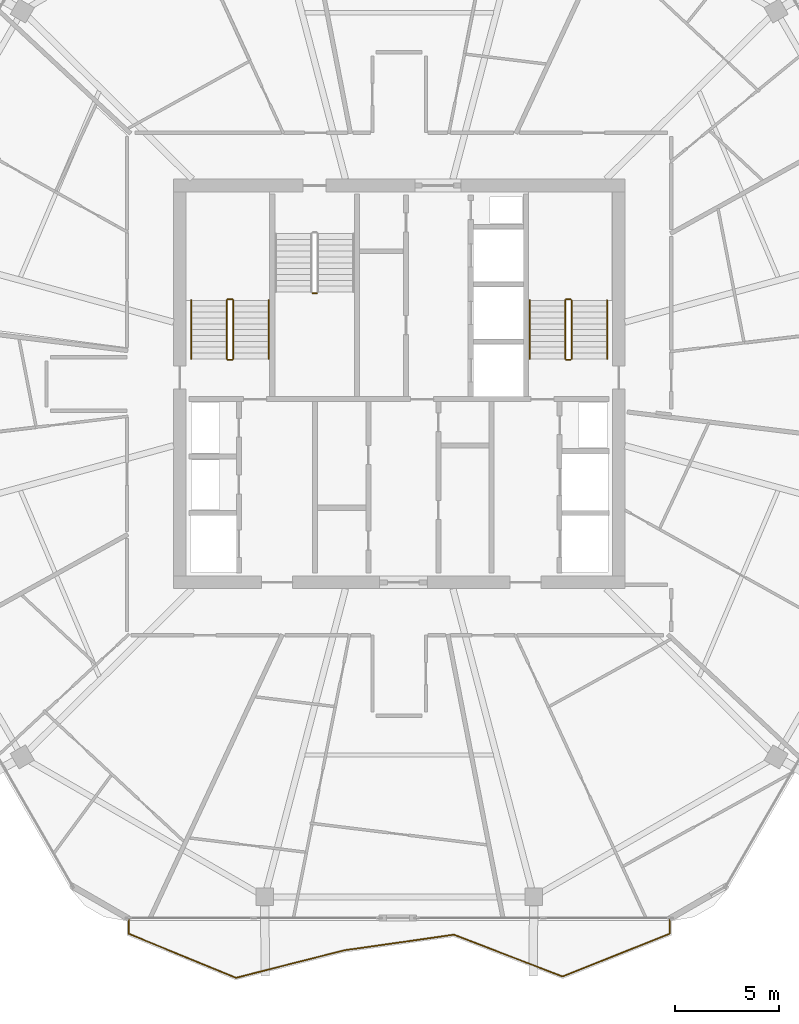
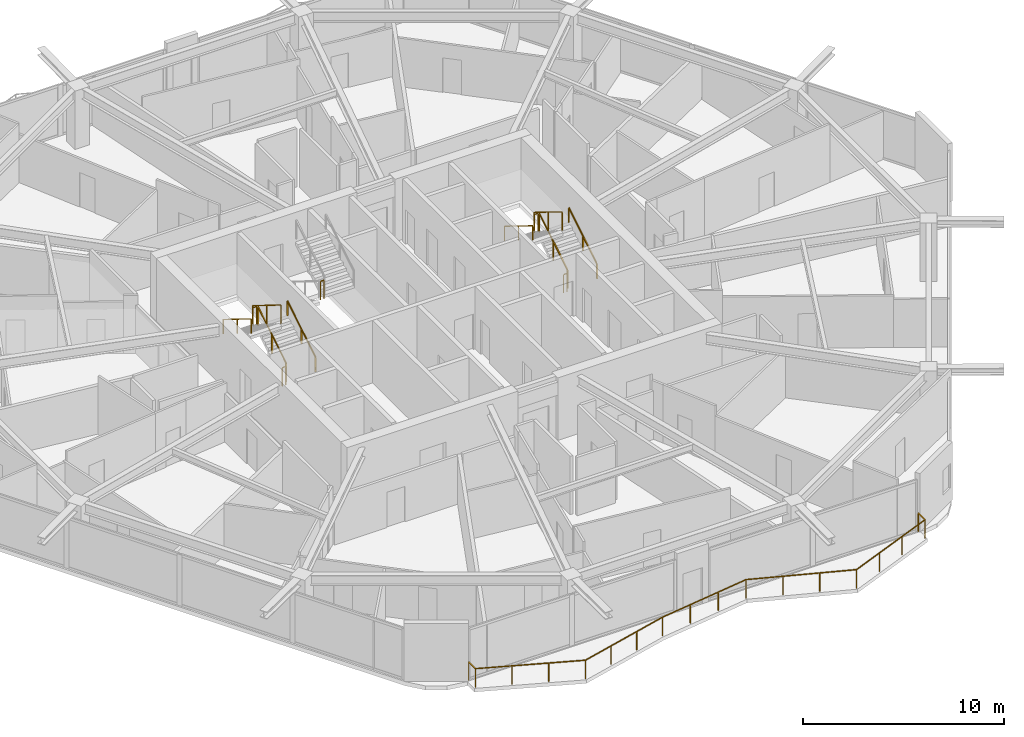
# One storey, part 25 of 27: 14 railings.
"""IFC4 building model written with IfcOpenShell, lengths in metres."""

from ifc_helpers import new_model, si_unit, direction, frame, origin, origin_2d, place, context, subcontext, project, spatial, rectangle, extrude, material, type_object, element, save


model = new_model("IFC4")

# Units and contexts
model_context = context("Model", 3, precision=1e-05, world=origin(), true_north=direction((0.0, 1.0)))
body_context = subcontext(model_context, "Body", "Model", "MODEL_VIEW")
ifc_project = project(units=[si_unit("LENGTHUNIT", "METRE"), si_unit("AREAUNIT", "SQUARE_METRE"), si_unit("VOLUMEUNIT", "CUBIC_METRE"), si_unit("PLANEANGLEUNIT", "RADIAN"), si_unit("MASSUNIT", "GRAM", prefix="KILO")], contexts=[model_context])

# Site, building, storey
site_placement = place(None, origin())
site = spatial("IfcSite", under=ifc_project, at=site_placement, CompositionType="ELEMENT")
building_placement = place(site_placement, origin())
building = spatial("IfcBuilding", under=site, at=building_placement, Name="Zuhravey Tower", CompositionType="ELEMENT")
storey_placement = place(building_placement, frame((0.0, 0.0, 265.39990234375)))
storey = spatial("IfcBuildingStorey", under=building, at=storey_placement, Name="L67", CompositionType="ELEMENT", Elevation=265.39990234375)

# Railings
ifc_material_1 = material(Name="Stainless steel 316 and laminated glass", Category="steel")
railing_type_1 = type_object("IfcRailingType", Name="Balcony & Terrace Guardrail 1150", PredefinedType="BALUSTRADE", material=ifc_material_1)
railing_1_placement = place(storey_placement, frame((48.941650390625, 6.351318359375, 0.0)))
element("IfcRailing", 1, at=railing_1_placement, inside=storey, type_object=railing_type_1, Name="L67 Face 5 Wave Balcony Guardrail GR1", PredefinedType="BALUSTRADE", context=body_context, shape_type="SweptSolid", body=[
    extrude(rectangle(XDim=0.048095703125, YDim=0.048095703125, at=origin_2d()), frame((0.0, -0.001953125, 1.1259765625), z_axis=(0.0, -1.0, 0.0), x_axis=(1.0, 0.0, 0.0)), (0.0, 0.0, 1.0), 0.668212890625),
    extrude(rectangle(XDim=0.048095703125, YDim=0.048095703125, at=origin_2d()), frame((-0.001953125, -0.6728515625, 1.1259765625), z_axis=(-0.928574424456, -0.371146249134, 0.0), x_axis=(0.371146249134, -0.928574424456, 0.0)), (0.0, 0.0, 1.0), 5.507080078125),
    extrude(rectangle(XDim=0.048095703125, YDim=0.048095703125, at=origin_2d()), frame((-5.119384765625, -2.716796875, 1.1259765625), z_axis=(-0.933372687279, 0.358908660582, 0.0), x_axis=(-0.358908660582, -0.933372687279, 0.0)), (0.0, 0.0, 1.0), 5.57177734375),
    extrude(rectangle(XDim=0.048095703125, YDim=0.048095703125, at=origin_2d()), frame((-10.32373046875, -0.716552734375, 1.1259765625), z_axis=(-0.990056074814, -0.1406732694, 0.0), x_axis=(0.1406732694, -0.990056074814, 0.0)), (0.0, 0.0, 1.0), 5.296142578125),
    extrude(rectangle(XDim=0.048095703125, YDim=0.048095703125, at=origin_2d()), frame((-15.5712890625, -1.46240234375, 1.1259765625), z_axis=(-0.969261841754, -0.246031465712, 0.0), x_axis=(0.246031465712, -0.969261841754, 0.0)), (0.0, 0.0, 1.0), 5.3505859375),
    extrude(rectangle(XDim=0.048095703125, YDim=0.048095703125, at=origin_2d()), frame((-20.76123046875, -2.778564453125, 1.1259765625), z_axis=(-0.924896981159, 0.38021779843, 0.0), x_axis=(-0.38021779843, -0.924896981159, 0.0)), (0.0, 0.0, 1.0), 5.5361328125),
    extrude(rectangle(XDim=0.048095703125, YDim=0.048095703125, at=origin_2d()), frame((-25.88330078125, -0.6708984375, 1.1259765625), z_axis=(0.0, 1.0, 0.0), x_axis=(-1.0, 0.0, 0.0)), (0.0, 0.0, 1.0), 0.6689453125),
    extrude(rectangle(XDim=0.0419921875, YDim=0.0419921875, at=origin_2d()), origin(), (0.0, 0.0, 1.0), 1.099853515625),
    extrude(rectangle(XDim=0.0419921875, YDim=0.0419921875, at=origin_2d()), frame((0.0, -0.672119140625, 0.0)), (0.0, 0.0, 1.0), 1.099853515625),
    extrude(rectangle(XDim=0.0419921875, YDim=0.0419921875, at=origin_2d()), frame((-1.705810546875, -1.35400390625, 0.0)), (0.0, 0.0, 1.0), 1.099853515625),
    extrude(rectangle(XDim=0.0419921875, YDim=0.0419921875, at=origin_2d()), frame((-3.41162109375, -2.03564453125, 0.0)), (0.0, 0.0, 1.0), 1.099853515625),
    extrude(rectangle(XDim=0.0419921875, YDim=0.0419921875, at=origin_2d()), frame((-5.117431640625, -2.717529296875, 0.0)), (0.0, 0.0, 1.0), 1.099853515625),
    extrude(rectangle(XDim=0.0419921875, YDim=0.0419921875, at=origin_2d()), frame((-6.852294921875, -2.050537109375, 0.0)), (0.0, 0.0, 1.0), 1.099853515625),
    extrude(rectangle(XDim=0.0419921875, YDim=0.0419921875, at=origin_2d()), frame((-8.5869140625, -1.38330078125, 0.0)), (0.0, 0.0, 1.0), 1.099853515625),
    extrude(rectangle(XDim=0.0419921875, YDim=0.0419921875, at=origin_2d()), frame((-10.32177734375, -0.71630859375, 0.0)), (0.0, 0.0, 1.0), 1.099853515625),
    extrude(rectangle(XDim=0.0419921875, YDim=0.0419921875, at=origin_2d()), frame((-12.071044921875, -0.96484375, 0.0)), (0.0, 0.0, 1.0), 1.099853515625),
    extrude(rectangle(XDim=0.0419921875, YDim=0.0419921875, at=origin_2d()), frame((-13.820068359375, -1.21337890625, 0.0)), (0.0, 0.0, 1.0), 1.099853515625),
    extrude(rectangle(XDim=0.0419921875, YDim=0.0419921875, at=origin_2d()), frame((-15.5693359375, -1.4619140625, 0.0)), (0.0, 0.0, 1.0), 1.099853515625),
    extrude(rectangle(XDim=0.0419921875, YDim=0.0419921875, at=origin_2d()), frame((-17.29931640625, -1.901123046875, 0.0)), (0.0, 0.0, 1.0), 1.099853515625),
    extrude(rectangle(XDim=0.0419921875, YDim=0.0419921875, at=origin_2d()), frame((-19.029296875, -2.340087890625, 0.0)), (0.0, 0.0, 1.0), 1.099853515625),
    extrude(rectangle(XDim=0.0419921875, YDim=0.0419921875, at=origin_2d()), frame((-20.75927734375, -2.779296875, 0.0)), (0.0, 0.0, 1.0), 1.099853515625),
    extrude(rectangle(XDim=0.0419921875, YDim=0.0419921875, at=origin_2d()), frame((-22.46728515625, -2.0771484375, 0.0)), (0.0, 0.0, 1.0), 1.099853515625),
    extrude(rectangle(XDim=0.0419921875, YDim=0.0419921875, at=origin_2d()), frame((-24.17529296875, -1.375, 0.0)), (0.0, 0.0, 1.0), 1.099853515625),
    extrude(rectangle(XDim=0.0419921875, YDim=0.0419921875, at=origin_2d()), frame((-25.88330078125, -0.6728515625, 0.0)), (0.0, 0.0, 1.0), 1.099853515625),
    extrude(rectangle(XDim=0.0419921875, YDim=0.0419921875, at=origin_2d()), frame((-25.88330078125, 0.0, 0.0)), (0.0, 0.0, 1.0), 1.099853515625),
])
ifc_material_2 = material(Name="Brushed stainless steel", Category="steel")
railing_type_2 = type_object("IfcRailingType", Name="Stair Wall Handrail 900", PredefinedType="HANDRAIL", material=ifc_material_2)
railing_2_placement = place(storey_placement, frame((29.75, 33.199951171875, 0.1728515625)))
element("IfcRailing", 2, at=railing_2_placement, inside=storey, type_object=railing_type_2, Name="L67 ST1 stair handrail 1", PredefinedType="HANDRAIL", context=body_context, shape_type="SweptSolid", body=[
    extrude(rectangle(XDim=0.048095703125, YDim=0.048095703125, at=origin_2d()), frame((0.0, 0.001708984375, 0.876953125), z_axis=(0.0, 0.851089632645, 0.525020415988), x_axis=(-1.0, 0.0, 0.0)), (0.0, 0.0, 1.0), 3.285888671875),
    extrude(rectangle(XDim=0.0419921875, YDim=0.0419921875, at=origin_2d()), origin(), (0.0, 0.0, 1.0), 0.849853515625),
    extrude(rectangle(XDim=0.0419921875, YDim=0.0419921875, at=origin_2d()), frame((0.0, 1.39990234375, 0.86376953125)), (0.0, 0.0, 1.0), 0.849853515625),
    extrude(rectangle(XDim=0.0419921875, YDim=0.0419921875, at=origin_2d()), frame((0.0, 2.800048828125, 1.727294921875)), (0.0, 0.0, 1.0), 0.849853515625),
])
railing_3_placement = place(storey_placement, frame((26.050048828125, 36.0, 2.07275390625)))
element("IfcRailing", 3, at=railing_3_placement, inside=storey, type_object=railing_type_2, Name="L67 ST1 stair handrail 2", PredefinedType="HANDRAIL", context=body_context, shape_type="SweptSolid", body=[
    extrude(rectangle(XDim=0.048095703125, YDim=0.048095703125, at=origin_2d()), frame((0.0, -0.001708984375, 0.876953125), z_axis=(0.0, -0.851089632645, 0.525020415988), x_axis=(1.0, 0.0, 0.0)), (0.0, 0.0, 1.0), 3.285888671875),
    extrude(rectangle(XDim=0.0419921875, YDim=0.0419921875, at=origin_2d()), origin(), (0.0, 0.0, 1.0), 0.849853515625),
    extrude(rectangle(XDim=0.0419921875, YDim=0.0419921875, at=origin_2d()), frame((0.0, -1.39990234375, 0.86376953125)), (0.0, 0.0, 1.0), 0.849853515625),
    extrude(rectangle(XDim=0.0419921875, YDim=0.0419921875, at=origin_2d()), frame((0.0, -2.800048828125, 1.727294921875)), (0.0, 0.0, 1.0), 0.849853515625),
])
railing_4_placement = place(storey_placement, frame((45.949951171875, 33.199951171875, 0.1728515625)))
element("IfcRailing", 4, at=railing_4_placement, inside=storey, type_object=railing_type_2, Name="L67 ST2 stair handrail 1", PredefinedType="HANDRAIL", context=body_context, shape_type="SweptSolid", body=[
    extrude(rectangle(XDim=0.048095703125, YDim=0.048095703125, at=origin_2d()), frame((0.0, 0.001708984375, 0.876953125), z_axis=(0.0, 0.851089632645, 0.525020415988), x_axis=(-1.0, 0.0, 0.0)), (0.0, 0.0, 1.0), 3.285888671875),
    extrude(rectangle(XDim=0.0419921875, YDim=0.0419921875, at=origin_2d()), origin(), (0.0, 0.0, 1.0), 0.849853515625),
    extrude(rectangle(XDim=0.0419921875, YDim=0.0419921875, at=origin_2d()), frame((0.0, 1.39990234375, 0.86376953125)), (0.0, 0.0, 1.0), 0.849853515625),
    extrude(rectangle(XDim=0.0419921875, YDim=0.0419921875, at=origin_2d()), frame((0.0, 2.800048828125, 1.727294921875)), (0.0, 0.0, 1.0), 0.849853515625),
])
railing_5_placement = place(storey_placement, frame((42.25, 36.0, 2.07275390625)))
element("IfcRailing", 5, at=railing_5_placement, inside=storey, type_object=railing_type_2, Name="L67 ST2 stair handrail 2", PredefinedType="HANDRAIL", context=body_context, shape_type="SweptSolid", body=[
    extrude(rectangle(XDim=0.048095703125, YDim=0.048095703125, at=origin_2d()), frame((0.0, -0.001708984375, 0.876953125), z_axis=(0.0, -0.851089632645, 0.525020415988), x_axis=(1.0, 0.0, 0.0)), (0.0, 0.0, 1.0), 3.285888671875),
    extrude(rectangle(XDim=0.0419921875, YDim=0.0419921875, at=origin_2d()), origin(), (0.0, 0.0, 1.0), 0.849853515625),
    extrude(rectangle(XDim=0.0419921875, YDim=0.0419921875, at=origin_2d()), frame((0.0, -1.39990234375, 0.86376953125)), (0.0, 0.0, 1.0), 0.849853515625),
    extrude(rectangle(XDim=0.0419921875, YDim=0.0419921875, at=origin_2d()), frame((0.0, -2.800048828125, 1.727294921875)), (0.0, 0.0, 1.0), 0.849853515625),
])
ifc_material_3 = material(Name="Painted tubular steel", Category="steel")
railing_type_3 = type_object("IfcRailingType", Name="Stair Well Guardrail 1150", PredefinedType="GUARDRAIL", material=ifc_material_3)
railing_6_placement = place(storey_placement, frame((28.050048828125, 33.199951171875, 0.1728515625)))
element("IfcRailing", 6, at=railing_6_placement, inside=storey, type_object=railing_type_3, Name="L67 ST1 stair guard 1", PredefinedType="GUARDRAIL", context=body_context, shape_type="SweptSolid", body=[
    extrude(rectangle(XDim=0.048095703125, YDim=0.048095703125, at=origin_2d()), frame((0.0, 0.001708984375, 1.126953125), z_axis=(0.0, 0.851089632645, 0.525020415988), x_axis=(-1.0, 0.0, 0.0)), (0.0, 0.0, 1.0), 3.285888671875),
    extrude(rectangle(XDim=0.0419921875, YDim=0.0419921875, at=origin_2d()), origin(), (0.0, 0.0, 1.0), 1.099853515625),
    extrude(rectangle(XDim=0.0419921875, YDim=0.0419921875, at=origin_2d()), frame((0.0, 1.39990234375, 0.86376953125)), (0.0, 0.0, 1.0), 1.099853515625),
    extrude(rectangle(XDim=0.0419921875, YDim=0.0419921875, at=origin_2d()), frame((0.0, 2.800048828125, 1.727294921875)), (0.0, 0.0, 1.0), 1.099853515625),
])
railing_7_placement = place(storey_placement, frame((28.0, 36.050048828125, 1.900146484375)))
element("IfcRailing", 7, at=railing_7_placement, inside=storey, type_object=railing_type_3, Name="L67 ST1 stair guard 2", PredefinedType="GUARDRAIL", context=body_context, shape_type="SweptSolid", body=[
    extrude(rectangle(XDim=0.048095703125, YDim=0.048095703125, at=origin_2d()), frame((-0.001953125, 0.0, 1.1259765625), z_axis=(-1.0, 0.0, 0.0), x_axis=(0.0, -1.0, 0.0)), (0.0, 0.0, 1.0), 0.196044921875),
    extrude(rectangle(XDim=0.0419921875, YDim=0.0419921875, at=origin_2d()), origin(), (0.0, 0.0, 1.0), 1.099853515625),
    extrude(rectangle(XDim=0.0419921875, YDim=0.0419921875, at=origin_2d()), frame((-0.199951171875, 0.0, 0.0)), (0.0, 0.0, 1.0), 1.099853515625),
])
railing_8_placement = place(storey_placement, frame((27.75, 36.0, 2.07275390625)))
element("IfcRailing", 8, at=railing_8_placement, inside=storey, type_object=railing_type_3, Name="L67 ST1 stair guard 3", PredefinedType="GUARDRAIL", context=body_context, shape_type="SweptSolid", body=[
    extrude(rectangle(XDim=0.048095703125, YDim=0.048095703125, at=origin_2d()), frame((0.0, -0.001708984375, 1.126953125), z_axis=(0.0, -0.851089632645, 0.525020415988), x_axis=(1.0, 0.0, 0.0)), (0.0, 0.0, 1.0), 3.285888671875),
    extrude(rectangle(XDim=0.0419921875, YDim=0.0419921875, at=origin_2d()), origin(), (0.0, 0.0, 1.0), 1.099853515625),
    extrude(rectangle(XDim=0.0419921875, YDim=0.0419921875, at=origin_2d()), frame((0.0, -1.39990234375, 0.86376953125)), (0.0, 0.0, 1.0), 1.099853515625),
    extrude(rectangle(XDim=0.0419921875, YDim=0.0419921875, at=origin_2d()), frame((0.0, -2.800048828125, 1.727294921875)), (0.0, 0.0, 1.0), 1.099853515625),
])
railing_9_placement = place(storey_placement, frame((28.0, 33.14990234375, 0.0)))
element("IfcRailing", 9, at=railing_9_placement, inside=storey, type_object=railing_type_3, Name="L67 ST1 stair guard 4", PredefinedType="GUARDRAIL", context=body_context, shape_type="SweptSolid", body=[
    extrude(rectangle(XDim=0.048095703125, YDim=0.048095703125, at=origin_2d()), frame((-0.001953125, 0.0, 1.1259765625), z_axis=(-1.0, 0.0, 0.0), x_axis=(0.0, -1.0, 0.0)), (0.0, 0.0, 1.0), 0.196044921875),
    extrude(rectangle(XDim=0.0419921875, YDim=0.0419921875, at=origin_2d()), origin(), (0.0, 0.0, 1.0), 1.099853515625),
    extrude(rectangle(XDim=0.0419921875, YDim=0.0419921875, at=origin_2d()), frame((-0.199951171875, 0.0, 0.0)), (0.0, 0.0, 1.0), 1.099853515625),
])
railing_10_placement = place(storey_placement, frame((44.25, 33.199951171875, 0.1728515625)))
element("IfcRailing", 10, at=railing_10_placement, inside=storey, type_object=railing_type_3, Name="L67 ST2 stair guard 1", PredefinedType="GUARDRAIL", context=body_context, shape_type="SweptSolid", body=[
    extrude(rectangle(XDim=0.048095703125, YDim=0.048095703125, at=origin_2d()), frame((0.0, 0.001708984375, 1.126953125), z_axis=(0.0, 0.851089632645, 0.525020415988), x_axis=(-1.0, 0.0, 0.0)), (0.0, 0.0, 1.0), 3.285888671875),
    extrude(rectangle(XDim=0.0419921875, YDim=0.0419921875, at=origin_2d()), origin(), (0.0, 0.0, 1.0), 1.099853515625),
    extrude(rectangle(XDim=0.0419921875, YDim=0.0419921875, at=origin_2d()), frame((0.0, 1.39990234375, 0.86376953125)), (0.0, 0.0, 1.0), 1.099853515625),
    extrude(rectangle(XDim=0.0419921875, YDim=0.0419921875, at=origin_2d()), frame((0.0, 2.800048828125, 1.727294921875)), (0.0, 0.0, 1.0), 1.099853515625),
])
railing_11_placement = place(storey_placement, frame((44.199951171875, 36.050048828125, 1.900146484375)))
element("IfcRailing", 11, at=railing_11_placement, inside=storey, type_object=railing_type_3, Name="L67 ST2 stair guard 2", PredefinedType="GUARDRAIL", context=body_context, shape_type="SweptSolid", body=[
    extrude(rectangle(XDim=0.048095703125, YDim=0.048095703125, at=origin_2d()), frame((-0.001953125, 0.0, 1.1259765625), z_axis=(-1.0, 0.0, 0.0), x_axis=(0.0, -1.0, 0.0)), (0.0, 0.0, 1.0), 0.196044921875),
    extrude(rectangle(XDim=0.0419921875, YDim=0.0419921875, at=origin_2d()), origin(), (0.0, 0.0, 1.0), 1.099853515625),
    extrude(rectangle(XDim=0.0419921875, YDim=0.0419921875, at=origin_2d()), frame((-0.199951171875, 0.0, 0.0)), (0.0, 0.0, 1.0), 1.099853515625),
])
railing_12_placement = place(storey_placement, frame((43.949951171875, 36.0, 2.07275390625)))
element("IfcRailing", 12, at=railing_12_placement, inside=storey, type_object=railing_type_3, Name="L67 ST2 stair guard 3", PredefinedType="GUARDRAIL", context=body_context, shape_type="SweptSolid", body=[
    extrude(rectangle(XDim=0.048095703125, YDim=0.048095703125, at=origin_2d()), frame((0.0, -0.001708984375, 1.126953125), z_axis=(0.0, -0.851089632645, 0.525020415988), x_axis=(1.0, 0.0, 0.0)), (0.0, 0.0, 1.0), 3.285888671875),
    extrude(rectangle(XDim=0.0419921875, YDim=0.0419921875, at=origin_2d()), origin(), (0.0, 0.0, 1.0), 1.099853515625),
    extrude(rectangle(XDim=0.0419921875, YDim=0.0419921875, at=origin_2d()), frame((0.0, -1.39990234375, 0.86376953125)), (0.0, 0.0, 1.0), 1.099853515625),
    extrude(rectangle(XDim=0.0419921875, YDim=0.0419921875, at=origin_2d()), frame((0.0, -2.800048828125, 1.727294921875)), (0.0, 0.0, 1.0), 1.099853515625),
])
railing_13_placement = place(storey_placement, frame((44.199951171875, 33.14990234375, 0.0)))
element("IfcRailing", 13, at=railing_13_placement, inside=storey, type_object=railing_type_3, Name="L67 ST2 stair guard 4", PredefinedType="GUARDRAIL", context=body_context, shape_type="SweptSolid", body=[
    extrude(rectangle(XDim=0.048095703125, YDim=0.048095703125, at=origin_2d()), frame((-0.001953125, 0.0, 1.1259765625), z_axis=(-1.0, 0.0, 0.0), x_axis=(0.0, -1.0, 0.0)), (0.0, 0.0, 1.0), 0.196044921875),
    extrude(rectangle(XDim=0.0419921875, YDim=0.0419921875, at=origin_2d()), origin(), (0.0, 0.0, 1.0), 1.099853515625),
    extrude(rectangle(XDim=0.0419921875, YDim=0.0419921875, at=origin_2d()), frame((-0.199951171875, 0.0, 0.0)), (0.0, 0.0, 1.0), 1.099853515625),
])
railing_14_placement = place(storey_placement, frame((31.85009765625, 36.35009765625, 1.900146484375)))
element("IfcRailing", 14, at=railing_14_placement, inside=storey, type_object=railing_type_3, Name="L67 ST3 stair guard 2", PredefinedType="GUARDRAIL", context=body_context, shape_type="SweptSolid", body=[
    extrude(rectangle(XDim=0.048095703125, YDim=0.048095703125, at=origin_2d()), frame((0.001953125, 0.0, 1.1259765625), z_axis=(1.0, 0.0, 0.0), x_axis=(0.0, 1.0, 0.0)), (0.0, 0.0, 1.0), 0.196044921875),
    extrude(rectangle(XDim=0.0419921875, YDim=0.0419921875, at=origin_2d()), origin(), (0.0, 0.0, 1.0), 1.099853515625),
    extrude(rectangle(XDim=0.0419921875, YDim=0.0419921875, at=origin_2d()), frame((0.199951171875, 0.0, 0.0)), (0.0, 0.0, 1.0), 1.099853515625),
])

save(model, "model.ifc")
